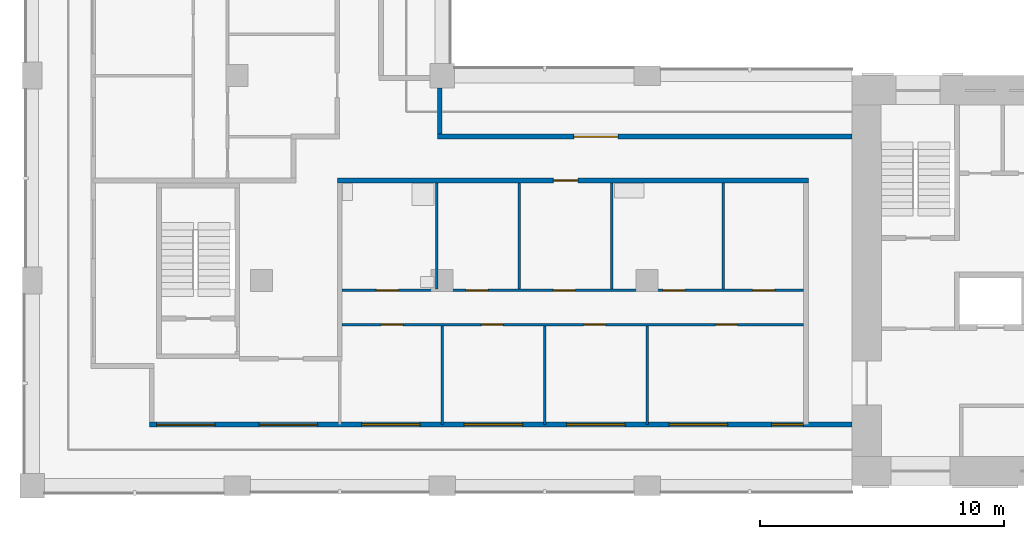
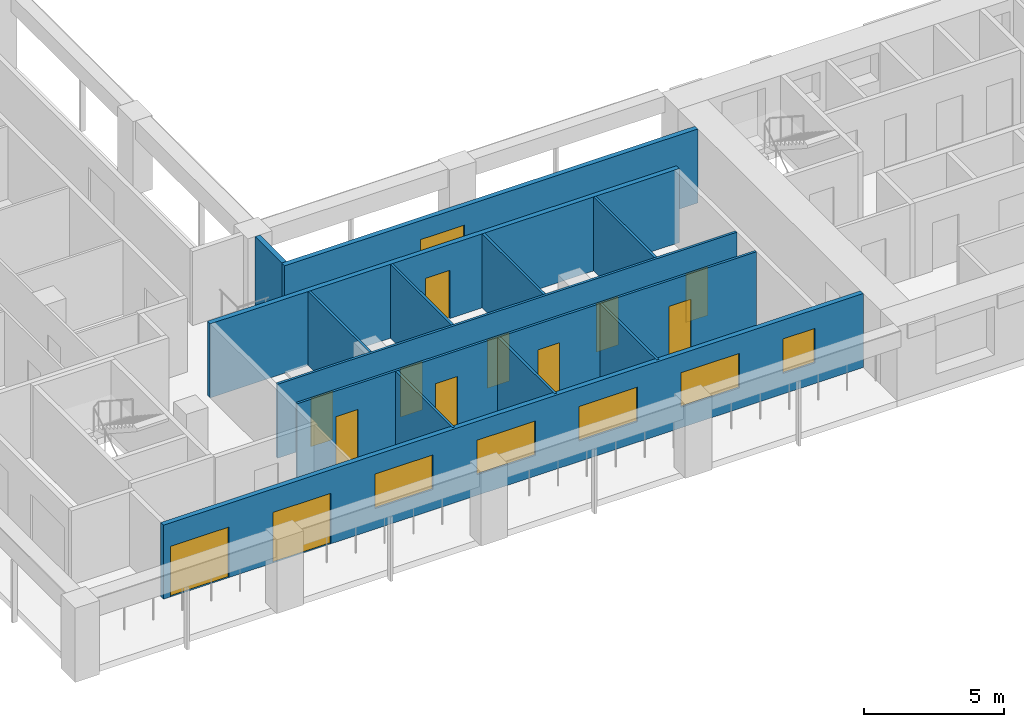
# One storey, part 2 of 9: 13 doors, 13 walls, 5 windows, 18 openings.
"""IFC4 building model written with IfcOpenShell, lengths in metres."""

from ifc_helpers import new_model, si_unit, direction, frame, frame_2d, origin, place, context, subcontext, project, spatial, rectangle, extrude, material, layer, layer_set, type_object, element, fill, save


model = new_model("IFC4")

# Units and contexts
model_context = context("Model", 3, precision=1e-05, world=origin(), true_north=direction((0.0, 1.0)))
body_context = subcontext(model_context, "Body", "Model", "MODEL_VIEW")
ifc_project = project(units=[si_unit("LENGTHUNIT", "METRE"), si_unit("AREAUNIT", "SQUARE_METRE"), si_unit("VOLUMEUNIT", "CUBIC_METRE"), si_unit("PLANEANGLEUNIT", "RADIAN"), si_unit("MASSUNIT", "GRAM", prefix="KILO")], contexts=[model_context])

# Site, building, storey
site_placement = place(None, origin())
site = spatial("IfcSite", under=ifc_project, at=site_placement, CompositionType="ELEMENT")
building_placement = place(site_placement, origin())
building = spatial("IfcBuilding", under=site, at=building_placement, Name="Vermilion Gate Residences", CompositionType="ELEMENT")
storey_placement = place(building_placement, frame((0.0, 0.0, 252.699951171875)))
storey = spatial("IfcBuildingStorey", under=building, at=storey_placement, Name="L66", CompositionType="ELEMENT", Elevation=252.699951171875)

# Wall, openings, doors, windows
ifc_material_1 = material(Name="Insulated steel stud wall with terracotta rainscreen", Category="masonry")
ifc_layer_1 = layer(ifc_material_1, 0.199951171875)
ifc_layer_set_1 = layer_set([ifc_layer_1], Name="EXTERNAL WALL 200 TERRACOTTA RAINSCREEN")
wall_type_1 = type_object("IfcWallType", Name="EXTERNAL WALL 200 TERRACOTTA RAINSCREEN", PredefinedType="SOLIDWALL", material=ifc_layer_set_1)
wall_1_placement = place(storey_placement, frame((13.199951171875, 10.89990234375, 0.0), z_axis=(0.0, 0.0, 1.0), x_axis=(1.0, 0.0, 0.0)))
wall_1 = element("IfcWall", 1, at=wall_1_placement, inside=storey, type_object=wall_type_1, Name="External wall", PredefinedType="SOLIDWALL", context=body_context, shape_type="SweptSolid", body=[
    extrude(rectangle(XDim=28.800048828125, YDim=0.199951171875, at=frame_2d((14.39990234375, 0.0))), origin(), (0.0, 0.0, 1.0), 3.219970703125),
])
opening_1_placement = place(wall_1_placement, frame((0.300048828125, 0.0, 0.0)))
opening_1 = element("IfcOpeningElement", 2, at=opening_1_placement, cuts=wall_1, Name="Opening DE66008", PredefinedType="OPENING", context=body_context, shape_type="SweptSolid", body=[
    extrude(rectangle(XDim=2.39990234375, YDim=2.199951171875, at=frame_2d((1.199951171875, 1.10009765625))), frame((0.0, 0.10986328125, 0.0), z_axis=(0.0, -1.0, 0.0), x_axis=(1.0, 0.0, 0.0)), (0.0, 0.0, 1.0), 0.219970703125),
])
opening_2_placement = place(wall_1_placement, frame((4.5, 0.0, 0.0)))
opening_2 = element("IfcOpeningElement", 3, at=opening_2_placement, cuts=wall_1, Name="Opening DE66009", PredefinedType="OPENING", context=body_context, shape_type="SweptSolid", body=[
    extrude(rectangle(XDim=2.39990234375, YDim=2.199951171875, at=frame_2d((1.199951171875, 1.10009765625))), frame((0.0, 0.10986328125, 0.0), z_axis=(0.0, -1.0, 0.0), x_axis=(1.0, 0.0, 0.0)), (0.0, 0.0, 1.0), 0.219970703125),
])
opening_3_placement = place(wall_1_placement, frame((8.699951171875, 0.0, 0.89990234375)))
opening_3 = element("IfcOpeningElement", 4, at=opening_3_placement, cuts=wall_1, Name="Opening WE66010", PredefinedType="OPENING", context=body_context, shape_type="SweptSolid", body=[
    extrude(rectangle(XDim=2.39990234375, YDim=1.5, at=frame_2d((1.199951171875, 0.75))), frame((0.0, 0.10986328125, 0.0), z_axis=(0.0, -1.0, 0.0), x_axis=(1.0, 0.0, 0.0)), (0.0, 0.0, 1.0), 0.219970703125),
])
opening_4_placement = place(wall_1_placement, frame((12.89990234375, 0.0, 0.89990234375)))
opening_4 = element("IfcOpeningElement", 5, at=opening_4_placement, cuts=wall_1, Name="Opening WE66011", PredefinedType="OPENING", context=body_context, shape_type="SweptSolid", body=[
    extrude(rectangle(XDim=2.39990234375, YDim=1.5, at=frame_2d((1.199951171875, 0.75))), frame((0.0, 0.10986328125, 0.0), z_axis=(0.0, -1.0, 0.0), x_axis=(1.0, 0.0, 0.0)), (0.0, 0.0, 1.0), 0.219970703125),
])
opening_5_placement = place(wall_1_placement, frame((17.10009765625, 0.0, 0.89990234375)))
opening_5 = element("IfcOpeningElement", 6, at=opening_5_placement, cuts=wall_1, Name="Opening WE66012", PredefinedType="OPENING", context=body_context, shape_type="SweptSolid", body=[
    extrude(rectangle(XDim=2.39990234375, YDim=1.5, at=frame_2d((1.199951171875, 0.75))), frame((0.0, 0.10986328125, 0.0), z_axis=(0.0, -1.0, 0.0), x_axis=(1.0, 0.0, 0.0)), (0.0, 0.0, 1.0), 0.219970703125),
])
opening_6_placement = place(wall_1_placement, frame((21.300048828125, 0.0, 0.89990234375)))
opening_6 = element("IfcOpeningElement", 7, at=opening_6_placement, cuts=wall_1, Name="Opening WE66013", PredefinedType="OPENING", context=body_context, shape_type="SweptSolid", body=[
    extrude(rectangle(XDim=2.39990234375, YDim=1.5, at=frame_2d((1.199951171875, 0.75))), frame((0.0, 0.10986328125, 0.0), z_axis=(0.0, -1.0, 0.0), x_axis=(1.0, 0.0, 0.0)), (0.0, 0.0, 1.0), 0.219970703125),
])
opening_7_placement = place(wall_1_placement, frame((25.5, 0.0, 0.89990234375)))
opening_7 = element("IfcOpeningElement", 8, at=opening_7_placement, cuts=wall_1, Name="Opening WE66014", PredefinedType="OPENING", context=body_context, shape_type="SweptSolid", body=[
    extrude(rectangle(XDim=1.300048828125, YDim=1.5, at=frame_2d((0.64990234375, 0.75))), frame((0.0, 0.10986328125, 0.0), z_axis=(0.0, -1.0, 0.0), x_axis=(1.0, 0.0, 0.0)), (0.0, 0.0, 1.0), 0.219970703125),
])
ifc_material_2 = material(Name="Aluminium and clear glass", Category="aluminium")
door_type_1 = type_object("IfcDoorType", Name="SLIDING GLAZED DOOR 2400 X 2200", OperationType="DOUBLE_DOOR_SLIDING", PredefinedType="DOOR", material=ifc_material_2)
door_1_placement = place(opening_1_placement, origin())
door_1 = element("IfcDoor", 9, at=door_1_placement, inside=storey, type_object=door_type_1, Name="Loggia sliding door", OperationType="DOUBLE_DOOR_SLIDING", OverallHeight=2.199951171875, OverallWidth=2.39990234375, PredefinedType="DOOR", context=body_context, shape_type="SweptSolid", body=[
    extrude(rectangle(XDim=2.39990234375, YDim=2.199951171875, at=frame_2d((1.199951171875, 1.10009765625))), frame((0.0, 0.02490234375, 0.0), z_axis=(0.0, -1.0, 0.0), x_axis=(1.0, 0.0, 0.0)), (0.0, 0.0, 1.0), 0.050048828125),
])
fill(opening_1, door_1)
door_2_placement = place(opening_2_placement, origin())
door_2 = element("IfcDoor", 10, at=door_2_placement, inside=storey, type_object=door_type_1, Name="Loggia sliding door", OperationType="DOUBLE_DOOR_SLIDING", OverallHeight=2.199951171875, OverallWidth=2.39990234375, PredefinedType="DOOR", context=body_context, shape_type="SweptSolid", body=[
    extrude(rectangle(XDim=2.39990234375, YDim=2.199951171875, at=frame_2d((1.199951171875, 1.10009765625))), frame((0.0, 0.02490234375, 0.0), z_axis=(0.0, -1.0, 0.0), x_axis=(1.0, 0.0, 0.0)), (0.0, 0.0, 1.0), 0.050048828125),
])
fill(opening_2, door_2)
ifc_material_3 = material(Name="Aluminium and clear glass", Category="aluminium")
window_type_1 = type_object("IfcWindowType", Name="WINDOW 1300 X 1500", PartitioningType="SINGLE_PANEL", PredefinedType="WINDOW", material=ifc_material_3)
window_1_placement = place(opening_7_placement, origin())
window_1 = element("IfcWindow", 11, at=window_1_placement, inside=storey, type_object=window_type_1, Name="Window", OverallHeight=1.5, OverallWidth=1.300048828125, PartitioningType="SINGLE_PANEL", PredefinedType="WINDOW", context=body_context, shape_type="SweptSolid", body=[
    extrude(rectangle(XDim=1.300048828125, YDim=1.5, at=frame_2d((0.64990234375, 0.75))), frame((0.0, 0.030029296875, 0.0), z_axis=(0.0, -1.0, 0.0), x_axis=(1.0, 0.0, 0.0)), (0.0, 0.0, 1.0), 0.06005859375),
])
fill(opening_7, window_1)
ifc_material_4 = material(Name="Aluminium and clear glass", Category="aluminium")
window_type_2 = type_object("IfcWindowType", Name="WINDOW 2400 X 1500", PartitioningType="SINGLE_PANEL", PredefinedType="WINDOW", material=ifc_material_4)
window_2_placement = place(opening_3_placement, origin())
window_2 = element("IfcWindow", 12, at=window_2_placement, inside=storey, type_object=window_type_2, Name="Window", OverallHeight=1.5, OverallWidth=2.39990234375, PartitioningType="SINGLE_PANEL", PredefinedType="WINDOW", context=body_context, shape_type="SweptSolid", body=[
    extrude(rectangle(XDim=2.39990234375, YDim=1.5, at=frame_2d((1.199951171875, 0.75))), frame((0.0, 0.030029296875, 0.0), z_axis=(0.0, -1.0, 0.0), x_axis=(1.0, 0.0, 0.0)), (0.0, 0.0, 1.0), 0.06005859375),
])
fill(opening_3, window_2)
window_3_placement = place(opening_4_placement, origin())
window_3 = element("IfcWindow", 13, at=window_3_placement, inside=storey, type_object=window_type_2, Name="Window", OverallHeight=1.5, OverallWidth=2.39990234375, PartitioningType="SINGLE_PANEL", PredefinedType="WINDOW", context=body_context, shape_type="SweptSolid", body=[
    extrude(rectangle(XDim=2.39990234375, YDim=1.5, at=frame_2d((1.199951171875, 0.75))), frame((0.0, 0.030029296875, 0.0), z_axis=(0.0, -1.0, 0.0), x_axis=(1.0, 0.0, 0.0)), (0.0, 0.0, 1.0), 0.06005859375),
])
fill(opening_4, window_3)
window_4_placement = place(opening_5_placement, origin())
window_4 = element("IfcWindow", 14, at=window_4_placement, inside=storey, type_object=window_type_2, Name="Window", OverallHeight=1.5, OverallWidth=2.39990234375, PartitioningType="SINGLE_PANEL", PredefinedType="WINDOW", context=body_context, shape_type="SweptSolid", body=[
    extrude(rectangle(XDim=2.39990234375, YDim=1.5, at=frame_2d((1.199951171875, 0.75))), frame((0.0, 0.030029296875, 0.0), z_axis=(0.0, -1.0, 0.0), x_axis=(1.0, 0.0, 0.0)), (0.0, 0.0, 1.0), 0.06005859375),
])
fill(opening_5, window_4)
window_5_placement = place(opening_6_placement, origin())
window_5 = element("IfcWindow", 15, at=window_5_placement, inside=storey, type_object=window_type_2, Name="Window", OverallHeight=1.5, OverallWidth=2.39990234375, PartitioningType="SINGLE_PANEL", PredefinedType="WINDOW", context=body_context, shape_type="SweptSolid", body=[
    extrude(rectangle(XDim=2.39990234375, YDim=1.5, at=frame_2d((1.199951171875, 0.75))), frame((0.0, 0.030029296875, 0.0), z_axis=(0.0, -1.0, 0.0), x_axis=(1.0, 0.0, 0.0)), (0.0, 0.0, 1.0), 0.06005859375),
])
fill(opening_6, window_5)

# Wall, opening, door
wall_2_placement = place(storey_placement, frame((42.0, 22.699951171875, 0.0), z_axis=(0.0, 0.0, 1.0), x_axis=(-1.0, 0.0, 0.0)))
wall_2 = element("IfcWall", 16, at=wall_2_placement, inside=storey, type_object=wall_type_1, Name="External wall", PredefinedType="SOLIDWALL", context=body_context, shape_type="SweptSolid", body=[
    extrude(rectangle(XDim=17.0, YDim=0.199951171875, at=frame_2d((8.5, 0.0))), origin(), (0.0, 0.0, 1.0), 3.219970703125),
])
opening_8_placement = place(wall_2_placement, frame((9.60009765625, 0.0, 0.0)))
opening_8 = element("IfcOpeningElement", 17, at=opening_8_placement, cuts=wall_2, Name="Opening DE66015", PredefinedType="OPENING", context=body_context, shape_type="SweptSolid", body=[
    extrude(rectangle(XDim=1.800048828125, YDim=2.39990234375, at=frame_2d((0.89990234375, 1.199951171875))), frame((0.0, 0.10986328125, 0.0), z_axis=(0.0, -1.0, 0.0), x_axis=(1.0, 0.0, 0.0)), (0.0, 0.0, 1.0), 0.219970703125),
])
ifc_material_5 = material(Name="Aluminium and clear glass", Category="aluminium")
door_type_2 = type_object("IfcDoorType", Name="GLAZED EXTERNAL DOOR 1800 X 2400", OperationType="DOUBLE_DOOR_SINGLE_SWING", PredefinedType="DOOR", material=ifc_material_5)
door_3_placement = place(opening_8_placement, frame((1.800048828125, 0.0, 0.0), z_axis=(0.0, 0.0, 1.0), x_axis=(-1.0, 0.0, 0.0)))
door_3 = element("IfcDoor", 18, at=door_3_placement, inside=storey, type_object=door_type_2, Name="Gallery door", OperationType="DOUBLE_DOOR_SINGLE_SWING", OverallHeight=2.39990234375, OverallWidth=1.800048828125, PredefinedType="DOOR", context=body_context, shape_type="SweptSolid", body=[
    extrude(rectangle(XDim=1.800048828125, YDim=2.39990234375, at=frame_2d((0.89990234375, 1.199951171875))), frame((0.0, 0.02490234375, 0.0), z_axis=(0.0, -1.0, 0.0), x_axis=(1.0, 0.0, 0.0)), (0.0, 0.0, 1.0), 0.050048828125),
])
fill(opening_8, door_3)

# Wall
wall_3_placement = place(storey_placement, frame((25.10009765625, 22.800048828125, 0.0), z_axis=(0.0, 0.0, 1.0), x_axis=(0.0, 1.0, 0.0)))
element("IfcWall", 19, at=wall_3_placement, inside=storey, type_object=wall_type_1, Name="External wall", PredefinedType="SOLIDWALL", context=body_context, shape_type="SweptSolid", body=[
    extrude(rectangle(XDim=1.89990234375, YDim=0.199951171875, at=frame_2d((0.949951171875, 0.0))), origin(), (0.0, 0.0, 1.0), 3.219970703125),
])

# Wall, openings, doors
ifc_material_6 = material(Name="Plasterboard on steel studs", Category="steel")
ifc_layer_2 = layer(ifc_material_6, 0.10009765625)
ifc_layer_set_2 = layer_set([ifc_layer_2], Name="PARTITION 100")
wall_type_2 = type_object("IfcWallType", Name="PARTITION 100", PredefinedType="PARTITIONING", material=ifc_layer_set_2)
wall_4_placement = place(storey_placement, frame((21.10009765625, 15.0, 0.0), z_axis=(0.0, 0.0, 1.0), x_axis=(1.0, 0.0, 0.0)))
wall_4 = element("IfcWall", 20, at=wall_4_placement, inside=storey, type_object=wall_type_2, Name="Partition", PredefinedType="PARTITIONING", context=body_context, shape_type="SweptSolid", body=[
    extrude(rectangle(XDim=18.89990234375, YDim=0.10009765625, at=frame_2d((9.449951171875, 0.0))), origin(), (0.0, 0.0, 1.0), 3.219970703125),
])
opening_9_placement = place(wall_4_placement, frame((1.60009765625, 0.0, 0.0)))
opening_9 = element("IfcOpeningElement", 21, at=opening_9_placement, cuts=wall_4, Name="Opening DA64002", PredefinedType="OPENING", context=body_context, shape_type="SweptSolid", body=[
    extrude(rectangle(XDim=0.89990234375, YDim=2.10009765625, at=frame_2d((0.449951171875, 1.050048828125))), frame((0.0, 0.06005859375, 0.0), z_axis=(0.0, -1.0, 0.0), x_axis=(1.0, 0.0, 0.0)), (0.0, 0.0, 1.0), 0.1201171875),
])
opening_10_placement = place(wall_4_placement, frame((5.699951171875, 0.0, 0.0)))
opening_10 = element("IfcOpeningElement", 22, at=opening_10_placement, cuts=wall_4, Name="Opening DA64003", PredefinedType="OPENING", context=body_context, shape_type="SweptSolid", body=[
    extrude(rectangle(XDim=0.89990234375, YDim=2.10009765625, at=frame_2d((0.449951171875, 1.050048828125))), frame((0.0, 0.06005859375, 0.0), z_axis=(0.0, -1.0, 0.0), x_axis=(1.0, 0.0, 0.0)), (0.0, 0.0, 1.0), 0.1201171875),
])
opening_11_placement = place(wall_4_placement, frame((9.89990234375, 0.0, 0.0)))
opening_11 = element("IfcOpeningElement", 23, at=opening_11_placement, cuts=wall_4, Name="Opening DA64004", PredefinedType="OPENING", context=body_context, shape_type="SweptSolid", body=[
    extrude(rectangle(XDim=0.89990234375, YDim=2.10009765625, at=frame_2d((0.449951171875, 1.050048828125))), frame((0.0, 0.06005859375, 0.0), z_axis=(0.0, -1.0, 0.0), x_axis=(1.0, 0.0, 0.0)), (0.0, 0.0, 1.0), 0.1201171875),
])
opening_12_placement = place(wall_4_placement, frame((15.300048828125, 0.0, 0.0)))
opening_12 = element("IfcOpeningElement", 24, at=opening_12_placement, cuts=wall_4, Name="Opening DA64005", PredefinedType="OPENING", context=body_context, shape_type="SweptSolid", body=[
    extrude(rectangle(XDim=0.89990234375, YDim=2.10009765625, at=frame_2d((0.449951171875, 1.050048828125))), frame((0.0, 0.06005859375, 0.0), z_axis=(0.0, -1.0, 0.0), x_axis=(1.0, 0.0, 0.0)), (0.0, 0.0, 1.0), 0.1201171875),
])
ifc_material_7 = material(Name="Timber", Category="wood")
door_type_3 = type_object("IfcDoorType", Name="INTERIOR DOOR 900 X 2100", OperationType="SINGLE_SWING_LEFT", PredefinedType="DOOR", material=ifc_material_7)
door_4_placement = place(opening_9_placement, frame((0.89990234375, 0.0, 0.0), z_axis=(0.0, 0.0, 1.0), x_axis=(-1.0, 0.0, 0.0)))
door_4 = element("IfcDoor", 25, at=door_4_placement, inside=storey, type_object=door_type_3, Name="Interior door", OperationType="SINGLE_SWING_LEFT", OverallHeight=2.10009765625, OverallWidth=0.89990234375, PredefinedType="DOOR", context=body_context, shape_type="SweptSolid", body=[
    extrude(rectangle(XDim=0.89990234375, YDim=2.10009765625, at=frame_2d((0.449951171875, 1.050048828125))), frame((0.0, 0.02490234375, 0.0), z_axis=(0.0, -1.0, 0.0), x_axis=(1.0, 0.0, 0.0)), (0.0, 0.0, 1.0), 0.050048828125),
])
fill(opening_9, door_4)
door_5_placement = place(opening_10_placement, frame((0.89990234375, 0.0, 0.0), z_axis=(0.0, 0.0, 1.0), x_axis=(-1.0, 0.0, 0.0)))
door_5 = element("IfcDoor", 26, at=door_5_placement, inside=storey, type_object=door_type_3, Name="Interior door", OperationType="SINGLE_SWING_RIGHT", OverallHeight=2.10009765625, OverallWidth=0.89990234375, PredefinedType="DOOR", context=body_context, shape_type="SweptSolid", body=[
    extrude(rectangle(XDim=0.89990234375, YDim=2.10009765625, at=frame_2d((0.449951171875, 1.050048828125))), frame((0.0, 0.02490234375, 0.0), z_axis=(0.0, -1.0, 0.0), x_axis=(1.0, 0.0, 0.0)), (0.0, 0.0, 1.0), 0.050048828125),
])
fill(opening_10, door_5)
door_6_placement = place(opening_11_placement, frame((0.89990234375, 0.0, 0.0), z_axis=(0.0, 0.0, 1.0), x_axis=(-1.0, 0.0, 0.0)))
door_6 = element("IfcDoor", 27, at=door_6_placement, inside=storey, type_object=door_type_3, Name="Interior door", OperationType="SINGLE_SWING_RIGHT", OverallHeight=2.10009765625, OverallWidth=0.89990234375, PredefinedType="DOOR", context=body_context, shape_type="SweptSolid", body=[
    extrude(rectangle(XDim=0.89990234375, YDim=2.10009765625, at=frame_2d((0.449951171875, 1.050048828125))), frame((0.0, 0.02490234375, 0.0), z_axis=(0.0, -1.0, 0.0), x_axis=(1.0, 0.0, 0.0)), (0.0, 0.0, 1.0), 0.050048828125),
])
fill(opening_11, door_6)
door_7_placement = place(opening_12_placement, frame((0.89990234375, 0.0, 0.0), z_axis=(0.0, 0.0, 1.0), x_axis=(-1.0, 0.0, 0.0)))
door_7 = element("IfcDoor", 28, at=door_7_placement, inside=storey, type_object=door_type_3, Name="Interior door", OperationType="SINGLE_SWING_LEFT", OverallHeight=2.10009765625, OverallWidth=0.89990234375, PredefinedType="DOOR", context=body_context, shape_type="SweptSolid", body=[
    extrude(rectangle(XDim=0.89990234375, YDim=2.10009765625, at=frame_2d((0.449951171875, 1.050048828125))), frame((0.0, 0.02490234375, 0.0), z_axis=(0.0, -1.0, 0.0), x_axis=(1.0, 0.0, 0.0)), (0.0, 0.0, 1.0), 0.050048828125),
])
fill(opening_12, door_7)

wall_5_placement = place(storey_placement, frame((21.10009765625, 16.39990234375, 0.0), z_axis=(0.0, 0.0, 1.0), x_axis=(1.0, 0.0, 0.0)))
wall_5 = element("IfcWall", 29, at=wall_5_placement, inside=storey, type_object=wall_type_2, Name="Partition", PredefinedType="PARTITIONING", context=body_context, shape_type="SweptSolid", body=[
    extrude(rectangle(XDim=18.89990234375, YDim=0.10009765625, at=frame_2d((9.449951171875, 0.0))), origin(), (0.0, 0.0, 1.0), 3.219970703125),
])
opening_13_placement = place(wall_5_placement, frame((8.659912109375, 0.0, 0.0)))
opening_13 = element("IfcOpeningElement", 30, at=opening_13_placement, cuts=wall_5, Name="Opening DA64006", PredefinedType="OPENING", context=body_context, shape_type="SweptSolid", body=[
    extrude(rectangle(XDim=0.89990234375, YDim=2.10009765625, at=frame_2d((0.449951171875, 1.050048828125))), frame((0.0, 0.06005859375, 0.0), z_axis=(0.0, -1.0, 0.0), x_axis=(1.0, 0.0, 0.0)), (0.0, 0.0, 1.0), 0.1201171875),
])
opening_14_placement = place(wall_5_placement, frame((1.39990234375, 0.0, 0.0)))
opening_14 = element("IfcOpeningElement", 31, at=opening_14_placement, cuts=wall_5, Name="Opening DA64007", PredefinedType="OPENING", context=body_context, shape_type="SweptSolid", body=[
    extrude(rectangle(XDim=0.89990234375, YDim=2.10009765625, at=frame_2d((0.449951171875, 1.050048828125))), frame((0.0, 0.06005859375, 0.0), z_axis=(0.0, -1.0, 0.0), x_axis=(1.0, 0.0, 0.0)), (0.0, 0.0, 1.0), 0.1201171875),
])
opening_15_placement = place(wall_5_placement, frame((5.080078125, 0.0, 0.0)))
opening_15 = element("IfcOpeningElement", 32, at=opening_15_placement, cuts=wall_5, Name="Opening DA64008", PredefinedType="OPENING", context=body_context, shape_type="SweptSolid", body=[
    extrude(rectangle(XDim=0.89990234375, YDim=2.10009765625, at=frame_2d((0.449951171875, 1.050048828125))), frame((0.0, 0.06005859375, 0.0), z_axis=(0.0, -1.0, 0.0), x_axis=(1.0, 0.0, 0.0)), (0.0, 0.0, 1.0), 0.1201171875),
])
opening_16_placement = place(wall_5_placement, frame((13.139892578125, 0.0, 0.0)))
opening_16 = element("IfcOpeningElement", 33, at=opening_16_placement, cuts=wall_5, Name="Opening DA64009", PredefinedType="OPENING", context=body_context, shape_type="SweptSolid", body=[
    extrude(rectangle(XDim=0.89990234375, YDim=2.10009765625, at=frame_2d((0.449951171875, 1.050048828125))), frame((0.0, 0.06005859375, 0.0), z_axis=(0.0, -1.0, 0.0), x_axis=(1.0, 0.0, 0.0)), (0.0, 0.0, 1.0), 0.1201171875),
])
opening_17_placement = place(wall_5_placement, frame((16.820068359375, 0.0, 0.0)))
opening_17 = element("IfcOpeningElement", 34, at=opening_17_placement, cuts=wall_5, Name="Opening DA64010", PredefinedType="OPENING", context=body_context, shape_type="SweptSolid", body=[
    extrude(rectangle(XDim=0.89990234375, YDim=2.10009765625, at=frame_2d((0.449951171875, 1.050048828125))), frame((0.0, 0.06005859375, 0.0), z_axis=(0.0, -1.0, 0.0), x_axis=(1.0, 0.0, 0.0)), (0.0, 0.0, 1.0), 0.1201171875),
])
door_8_placement = place(opening_13_placement, origin())
door_8 = element("IfcDoor", 35, at=door_8_placement, inside=storey, type_object=door_type_3, Name="Interior door", OperationType="SINGLE_SWING_LEFT", OverallHeight=2.10009765625, OverallWidth=0.89990234375, PredefinedType="DOOR", context=body_context, shape_type="SweptSolid", body=[
    extrude(rectangle(XDim=0.89990234375, YDim=2.10009765625, at=frame_2d((0.449951171875, 1.050048828125))), frame((0.0, 0.02490234375, 0.0), z_axis=(0.0, -1.0, 0.0), x_axis=(1.0, 0.0, 0.0)), (0.0, 0.0, 1.0), 0.050048828125),
])
fill(opening_13, door_8)
door_9_placement = place(opening_14_placement, origin())
door_9 = element("IfcDoor", 36, at=door_9_placement, inside=storey, type_object=door_type_3, Name="Interior door", OperationType="SINGLE_SWING_RIGHT", OverallHeight=2.10009765625, OverallWidth=0.89990234375, PredefinedType="DOOR", context=body_context, shape_type="SweptSolid", body=[
    extrude(rectangle(XDim=0.89990234375, YDim=2.10009765625, at=frame_2d((0.449951171875, 1.050048828125))), frame((0.0, 0.02490234375, 0.0), z_axis=(0.0, -1.0, 0.0), x_axis=(1.0, 0.0, 0.0)), (0.0, 0.0, 1.0), 0.050048828125),
])
fill(opening_14, door_9)
door_10_placement = place(opening_15_placement, origin())
door_10 = element("IfcDoor", 37, at=door_10_placement, inside=storey, type_object=door_type_3, Name="Interior door", OperationType="SINGLE_SWING_LEFT", OverallHeight=2.10009765625, OverallWidth=0.89990234375, PredefinedType="DOOR", context=body_context, shape_type="SweptSolid", body=[
    extrude(rectangle(XDim=0.89990234375, YDim=2.10009765625, at=frame_2d((0.449951171875, 1.050048828125))), frame((0.0, 0.02490234375, 0.0), z_axis=(0.0, -1.0, 0.0), x_axis=(1.0, 0.0, 0.0)), (0.0, 0.0, 1.0), 0.050048828125),
])
fill(opening_15, door_10)
door_11_placement = place(opening_16_placement, origin())
door_11 = element("IfcDoor", 38, at=door_11_placement, inside=storey, type_object=door_type_3, Name="Interior door", OperationType="SINGLE_SWING_LEFT", OverallHeight=2.10009765625, OverallWidth=0.89990234375, PredefinedType="DOOR", context=body_context, shape_type="SweptSolid", body=[
    extrude(rectangle(XDim=0.89990234375, YDim=2.10009765625, at=frame_2d((0.449951171875, 1.050048828125))), frame((0.0, 0.02490234375, 0.0), z_axis=(0.0, -1.0, 0.0), x_axis=(1.0, 0.0, 0.0)), (0.0, 0.0, 1.0), 0.050048828125),
])
fill(opening_16, door_11)
door_12_placement = place(opening_17_placement, origin())
door_12 = element("IfcDoor", 39, at=door_12_placement, inside=storey, type_object=door_type_3, Name="Interior door", OperationType="SINGLE_SWING_LEFT", OverallHeight=2.10009765625, OverallWidth=0.89990234375, PredefinedType="DOOR", context=body_context, shape_type="SweptSolid", body=[
    extrude(rectangle(XDim=0.89990234375, YDim=2.10009765625, at=frame_2d((0.449951171875, 1.050048828125))), frame((0.0, 0.02490234375, 0.0), z_axis=(0.0, -1.0, 0.0), x_axis=(1.0, 0.0, 0.0)), (0.0, 0.0, 1.0), 0.050048828125),
])
fill(opening_17, door_12)

# Walls
wall_6_placement = place(storey_placement, frame((24.97998046875, 16.449951171875, 0.0), z_axis=(0.0, 0.0, 1.0), x_axis=(0.0, 1.0, 0.0)))
element("IfcWall", 40, at=wall_6_placement, inside=storey, type_object=wall_type_2, Name="Partition", PredefinedType="PARTITIONING", context=body_context, shape_type="SweptSolid", body=[
    extrude(rectangle(XDim=4.35009765625, YDim=0.10009765625, at=frame_2d((2.175048828125, 0.0))), origin(), (0.0, 0.0, 1.0), 3.219970703125),
])
wall_7_placement = place(storey_placement, frame((25.199951171875, 10.89990234375, 0.0), z_axis=(0.0, 0.0, 1.0), x_axis=(0.0, 1.0, 0.0)))
element("IfcWall", 41, at=wall_7_placement, inside=storey, type_object=wall_type_2, Name="Partition", PredefinedType="PARTITIONING", context=body_context, shape_type="SweptSolid", body=[
    extrude(rectangle(XDim=4.050048828125, YDim=0.10009765625, at=frame_2d((2.02490234375, 0.0))), origin(), (0.0, 0.0, 1.0), 3.219970703125),
])
wall_8_placement = place(storey_placement, frame((28.360107421875, 16.449951171875, 0.0), z_axis=(0.0, 0.0, 1.0), x_axis=(0.0, 1.0, 0.0)))
element("IfcWall", 42, at=wall_8_placement, inside=storey, type_object=wall_type_2, Name="Partition", PredefinedType="PARTITIONING", context=body_context, shape_type="SweptSolid", body=[
    extrude(rectangle(XDim=4.35009765625, YDim=0.10009765625, at=frame_2d((2.175048828125, 0.0))), origin(), (0.0, 0.0, 1.0), 3.219970703125),
])
wall_9_placement = place(storey_placement, frame((29.39990234375, 10.89990234375, 0.0), z_axis=(0.0, 0.0, 1.0), x_axis=(0.0, 1.0, 0.0)))
element("IfcWall", 43, at=wall_9_placement, inside=storey, type_object=wall_type_2, Name="Partition", PredefinedType="PARTITIONING", context=body_context, shape_type="SweptSolid", body=[
    extrude(rectangle(XDim=4.050048828125, YDim=0.10009765625, at=frame_2d((2.02490234375, 0.0))), origin(), (0.0, 0.0, 1.0), 3.219970703125),
])
wall_10_placement = place(storey_placement, frame((32.139892578125, 16.449951171875, 0.0), z_axis=(0.0, 0.0, 1.0), x_axis=(0.0, 1.0, 0.0)))
element("IfcWall", 44, at=wall_10_placement, inside=storey, type_object=wall_type_2, Name="Partition", PredefinedType="PARTITIONING", context=body_context, shape_type="SweptSolid", body=[
    extrude(rectangle(XDim=4.35009765625, YDim=0.10009765625, at=frame_2d((2.175048828125, 0.0))), origin(), (0.0, 0.0, 1.0), 3.219970703125),
])
wall_11_placement = place(storey_placement, frame((33.60009765625, 10.89990234375, 0.0), z_axis=(0.0, 0.0, 1.0), x_axis=(0.0, 1.0, 0.0)))
element("IfcWall", 45, at=wall_11_placement, inside=storey, type_object=wall_type_2, Name="Partition", PredefinedType="PARTITIONING", context=body_context, shape_type="SweptSolid", body=[
    extrude(rectangle(XDim=4.050048828125, YDim=0.10009765625, at=frame_2d((2.02490234375, 0.0))), origin(), (0.0, 0.0, 1.0), 3.219970703125),
])
wall_12_placement = place(storey_placement, frame((36.719970703125, 16.449951171875, 0.0), z_axis=(0.0, 0.0, 1.0), x_axis=(0.0, 1.0, 0.0)))
element("IfcWall", 46, at=wall_12_placement, inside=storey, type_object=wall_type_2, Name="Partition", PredefinedType="PARTITIONING", context=body_context, shape_type="SweptSolid", body=[
    extrude(rectangle(XDim=4.35009765625, YDim=0.10009765625, at=frame_2d((2.175048828125, 0.0))), origin(), (0.0, 0.0, 1.0), 3.219970703125),
])

# Wall, opening, door
ifc_material_8 = material(Name="Fire-rated plasterboard on steel studs", Category="steel")
ifc_layer_3 = layer(ifc_material_8, 0.199951171875)
ifc_layer_set_3 = layer_set([ifc_layer_3], Name="PARTY WALL 200 EI 120")
wall_type_3 = type_object("IfcWallType", Name="PARTY WALL 200 EI 120", PredefinedType="PARTITIONING", material=ifc_layer_set_3)
wall_13_placement = place(storey_placement, frame((20.89990234375, 20.89990234375, 0.0), z_axis=(0.0, 0.0, 1.0), x_axis=(1.0, 0.0, 0.0)))
wall_13 = element("IfcWall", 47, at=wall_13_placement, inside=storey, type_object=wall_type_3, Name="Party and corridor wall", PredefinedType="PARTITIONING", context=body_context, shape_type="SweptSolid", body=[
    extrude(rectangle(XDim=19.300048828125, YDim=0.199951171875, at=frame_2d((9.64990234375, 0.0))), origin(), (0.0, 0.0, 1.0), 3.219970703125),
])
opening_18_placement = place(wall_13_placement, frame((8.860107421875, 0.0, 0.0)))
opening_18 = element("IfcOpeningElement", 48, at=opening_18_placement, cuts=wall_13, Name="Opening DA64011", PredefinedType="OPENING", context=body_context, shape_type="SweptSolid", body=[
    extrude(rectangle(XDim=1.0, YDim=2.10009765625, at=frame_2d((0.5, 1.050048828125))), frame((0.0, 0.10986328125, 0.0), z_axis=(0.0, -1.0, 0.0), x_axis=(1.0, 0.0, 0.0)), (0.0, 0.0, 1.0), 0.219970703125),
])
ifc_material_9 = material(Name="Steel", Category="steel")
door_type_4 = type_object("IfcDoorType", Name="ENTRANCE DOOR 1000 X 2100 FD30", OperationType="SINGLE_SWING_LEFT", PredefinedType="DOOR", material=ifc_material_9)
door_13_placement = place(opening_18_placement, frame((1.0, 0.0, 0.0), z_axis=(0.0, 0.0, 1.0), x_axis=(-1.0, 0.0, 0.0)))
door_13 = element("IfcDoor", 49, at=door_13_placement, inside=storey, type_object=door_type_4, Name="Entrance door", OperationType="SINGLE_SWING_LEFT", OverallHeight=2.10009765625, OverallWidth=1.0, PredefinedType="DOOR", context=body_context, shape_type="SweptSolid", body=[
    extrude(rectangle(XDim=1.0, YDim=2.10009765625, at=frame_2d((0.5, 1.050048828125))), frame((0.0, 0.02490234375, 0.0), z_axis=(0.0, -1.0, 0.0), x_axis=(1.0, 0.0, 0.0)), (0.0, 0.0, 1.0), 0.050048828125),
])
fill(opening_18, door_13)

save(model, "model.ifc")
